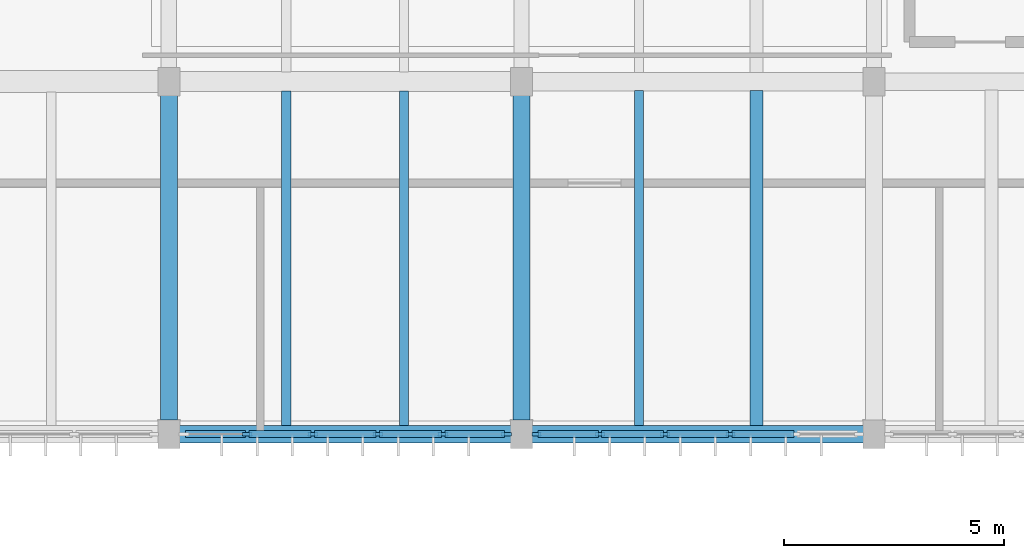
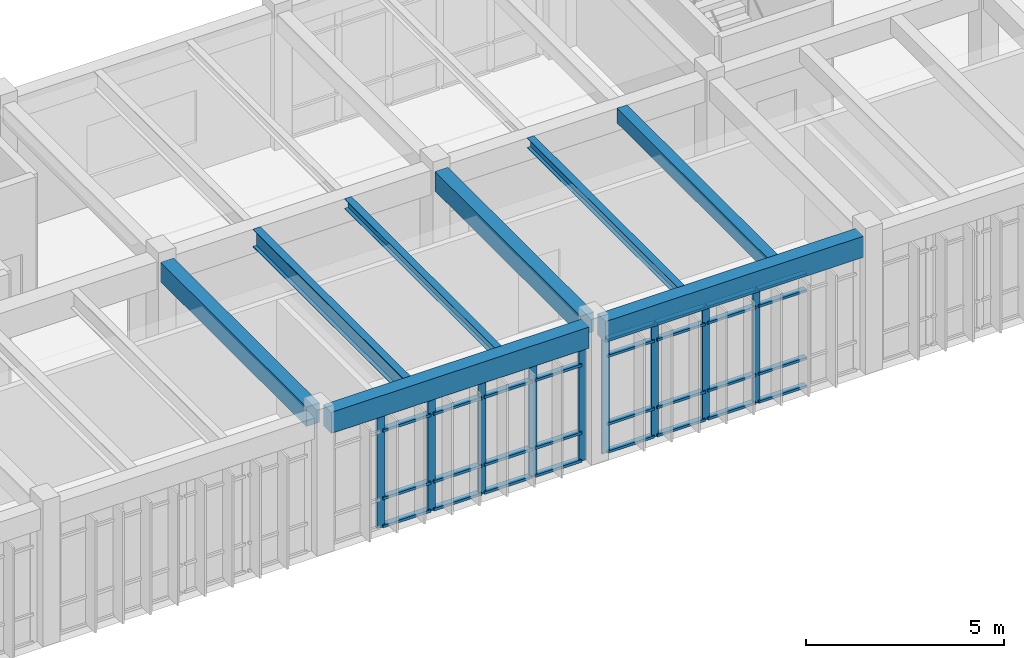
# One storey, part 22 of 72: 42 members, 8 beams, 2 elements without a shape of their own.
"""IFC4 building model written with IfcOpenShell, lengths in metres."""

import ifcopenshell
import ifcopenshell.guid

model = None  # the IFC model being written
_history = None  # IfcOwnerHistory: only IFC2X3 demands one
_inside = {}  # id of a spatial element -> (the spatial element, [elements in it])
_under = {}  # id of a project, library or spatial element -> (it, [spatial elements below it])
_declared = {}  # id of a project -> (the project, [libraries it declares])
_typed = {}  # id of a type object -> (the type object, [elements of that type])
_made_of = {}  # id of a material, layer set ... -> (it, [elements and type objects made of it])


def new_model(schema):
    """Start an empty IFC model of exactly this schema.

    Asked for "IFC4X3", IfcOpenShell would pick the latest addendum, in which some entities
    have other attributes; the version numbers below select the first issue.
    IFC2X3 requires an IfcOwnerHistory on every rooted entity: one is made here for all.
    """
    global model, _history
    if schema == "IFC4X3":
        model = ifcopenshell.file(schema_version=(4, 3, 0, 0))
    else:
        model = ifcopenshell.file(schema=schema)
    _inside.clear()
    _under.clear()
    _declared.clear()
    _typed.clear()
    _made_of.clear()
    _history = None
    if model.schema == "IFC2X3":
        org = make("IfcOrganization", Name="unknown")
        user = make(
            "IfcPersonAndOrganization",
            ThePerson=make("IfcPerson", FamilyName="unknown"),
            TheOrganization=org,
        )
        app = make(
            "IfcApplication",
            ApplicationDeveloper=org,
            Version="unknown",
            ApplicationFullName="unknown",
            ApplicationIdentifier="unknown",
        )
        _history = make(
            "IfcOwnerHistory",
            OwningUser=user,
            OwningApplication=app,
            ChangeAction="ADDED",
            CreationDate=0,
        )
    return model


def make(cls, **values):
    """One entity of the class cls with the attributes given. An attribute that is None is left unset."""
    return model.create_entity(
        cls, **{name: value for name, value in values.items() if value is not None}
    )


def rooted(cls, **values):
    """An entity with a GlobalId (a new one), such as an element, a storey or a relation."""
    return make(cls, GlobalId=ifcopenshell.guid.new(), OwnerHistory=_history, **values)


def si_unit(unit_type, name, prefix=None):
    """IfcSIUnit, for example si_unit("LENGTHUNIT", "METRE", prefix="MILLI")."""
    return make("IfcSIUnit", UnitType=unit_type, Prefix=prefix, Name=name)


def assignment(units):
    """IfcUnitAssignment: the units of a project."""
    return None if units is None else make("IfcUnitAssignment", Units=units)


def point(xyz):
    """IfcCartesianPoint."""
    return None if xyz is None else make("IfcCartesianPoint", Coordinates=xyz)


def direction(xyz):
    """IfcDirection."""
    return None if xyz is None else make("IfcDirection", DirectionRatios=xyz)


def frame(location, z_axis=None, x_axis=None):
    """IfcAxis2Placement3D, a coordinate frame: its origin and axes. An axis left out is left unset."""
    return make(
        "IfcAxis2Placement3D",
        Location=point(location),
        Axis=direction(z_axis),
        RefDirection=direction(x_axis),
    )


def frame_2d(location, x_axis=None):
    """IfcAxis2Placement2D, a coordinate frame in the plane: its origin and x axis."""
    return make(
        "IfcAxis2Placement2D", Location=point(location), RefDirection=direction(x_axis)
    )


def origin():
    """The frame at (0, 0, 0) with its axes left unset."""
    return frame((0.0, 0.0, 0.0))


def origin_2d():
    """The frame at (0, 0) in the plane with its x axis left unset."""
    return frame_2d((0.0, 0.0))


def place(relative_to, where):
    """IfcLocalPlacement: puts the frame where relative to a parent placement (None: the world)."""
    return make(
        "IfcLocalPlacement", PlacementRelTo=relative_to, RelativePlacement=where
    )


def context(
    kind, dimensions, precision=None, world=None, true_north=None, identifier=None
):
    """IfcGeometricRepresentationContext, for example the 3D "Model" context."""
    return make(
        "IfcGeometricRepresentationContext",
        ContextIdentifier=identifier,
        ContextType=kind,
        CoordinateSpaceDimension=dimensions,
        Precision=precision,
        WorldCoordinateSystem=world,
        TrueNorth=true_north,
    )


def subcontext(parent, identifier, kind, view, scale=None):
    """IfcGeometricRepresentationSubContext, for example "Body" below "Model"."""
    return make(
        "IfcGeometricRepresentationSubContext",
        ContextIdentifier=identifier,
        ContextType=kind,
        ParentContext=parent,
        TargetScale=scale,
        TargetView=view,
    )


def project(units=None, contexts=None):
    """IfcProject with its units and contexts."""
    return rooted(
        "IfcProject",
        Name="project",
        RepresentationContexts=contexts,
        UnitsInContext=assignment(units),
    )


def spatial(cls, under=None, at=None, **own):
    """A site, building, storey or space (cls), placed at a placement, below another one or the project."""
    s = rooted(cls, ObjectPlacement=at, **own)
    if under is not None:
        _under.setdefault(under.id(), (under, []))[1].append(s)
    return s


def profile(cls, at=None, kind="AREA", **sizes):
    """A parametric profile (cls). Its sizes go by their IFC names, for example OverallWidth=200.0."""
    return make(cls, ProfileType=kind, Position=at, **sizes)


def rectangle(**sizes):
    """IfcRectangleProfileDef."""
    return profile("IfcRectangleProfileDef", **sizes)


def i_section(**sizes):
    """IfcIShapeProfileDef."""
    return profile("IfcIShapeProfileDef", **sizes)


def extrude(swept, where, along, depth):
    """IfcExtrudedAreaSolid: the profile swept, set in the frame where, extruded along a direction by depth."""
    return make(
        "IfcExtrudedAreaSolid",
        SweptArea=swept,
        Position=where,
        ExtrudedDirection=direction(along),
        Depth=depth,
    )


def shape(context_of_items, identifier, shape_type, items):
    """IfcShapeRepresentation: the items that make up one representation, for example the "Body"."""
    return make(
        "IfcShapeRepresentation",
        ContextOfItems=context_of_items,
        RepresentationIdentifier=identifier,
        RepresentationType=shape_type,
        Items=items,
    )


def material(Name=None, Category=None):
    """IfcMaterial."""
    return make("IfcMaterial", Name=Name, Category=Category)


def material_profile(
    of_material, cross_section, Name=None, Category=None, Priority=None
):
    """IfcMaterialProfile: a cross section and its material."""
    return make(
        "IfcMaterialProfile",
        Name=Name,
        Material=of_material,
        Profile=cross_section,
        Priority=Priority,
        Category=Category,
    )


def profile_set(profiles, Name=None, composite=None):
    """IfcMaterialProfileSet."""
    return make(
        "IfcMaterialProfileSet",
        Name=Name,
        MaterialProfiles=profiles,
        CompositeProfile=composite,
    )


def made_of(thing, what):
    """Note that an element or type object is made of a material, layer set ...; save() writes the relation."""
    if what is not None:
        _made_of.setdefault(what.id(), (what, []))[1].append(thing)
    return thing


def type_object(cls, material=None, **own):
    """A type object (cls), such as IfcWallType, which elements share."""
    return made_of(rooted(cls, **own), material)


def element(
    cls,
    number,
    at=None,
    inside=None,
    cuts=None,
    type_object=None,
    material=None,
    context=None,
    identifier="Body",
    shape_type=None,
    held_by="IfcProductDefinitionShape",
    body=None,
    shapes=None,
    **own,
):
    """One element of the class cls, such as IfcWall. Its Tag is "e" and its number.

    at: its placement. inside: the storey or other place that contains it. cuts: it is an
    opening in that element (IfcRelVoidsElement). A single representation is given by context,
    identifier, shape_type and body (its items); several are given by shapes. held_by: the class
    of the entity that holds the representations. save() writes the other relations.
    """
    e = rooted(cls, Tag="e%d" % number, ObjectPlacement=at, **own)
    if body is not None:
        shapes = [shape(context, identifier, shape_type, body)]
    if shapes is not None:
        e.Representation = make(held_by, Representations=shapes)
    if inside is not None:
        _inside.setdefault(inside.id(), (inside, []))[1].append(e)
    if cuts is not None:
        rooted(
            "IfcRelVoidsElement", RelatingBuildingElement=cuts, RelatedOpeningElement=e
        )
    if type_object is not None:
        _typed.setdefault(type_object.id(), (type_object, []))[1].append(e)
    return made_of(e, material)


def aggregate(whole, parts):
    """IfcRelAggregates: a whole, such as a stair, and the parts it consists of."""
    return rooted("IfcRelAggregates", RelatingObject=whole, RelatedObjects=parts)


def save(model, path):
    """Write the relations noted so far, then the file.

    IfcRelAggregates (storeys below a building ...), IfcRelContainedInSpatialStructure (elements
    in a storey), IfcRelDefinesByType, IfcRelAssociatesMaterial and IfcRelDeclares: one each for
    every whole, place, type object, material and project.
    """
    for whole, parts in _under.values():
        aggregate(whole, parts)
    for where, things in _inside.values():
        rooted(
            "IfcRelContainedInSpatialStructure",
            RelatedElements=things,
            RelatingStructure=where,
        )
    for kind, things in _typed.values():
        rooted("IfcRelDefinesByType", RelatedObjects=things, RelatingType=kind)
    for what, things in _made_of.values():
        rooted("IfcRelAssociatesMaterial", RelatedObjects=things, RelatingMaterial=what)
    for by, libraries in _declared.values():
        rooted("IfcRelDeclares", RelatingContext=by, RelatedDefinitions=libraries)
    model.write(path)


model = new_model("IFC4")

# Units and contexts
model_context = context("Model", 3, precision=1e-05, world=origin(), true_north=direction((0.0, 1.0)))
body_context = subcontext(model_context, "Body", "Model", "MODEL_VIEW")
ifc_project = project(units=[si_unit("LENGTHUNIT", "METRE"), si_unit("AREAUNIT", "SQUARE_METRE"), si_unit("VOLUMEUNIT", "CUBIC_METRE"), si_unit("PLANEANGLEUNIT", "RADIAN"), si_unit("MASSUNIT", "GRAM", prefix="KILO")], contexts=[model_context])

# Site, building, storey
site_placement = place(None, origin())
site = spatial("IfcSite", under=ifc_project, at=site_placement, CompositionType="ELEMENT")
building_placement = place(site_placement, origin())
building = spatial("IfcBuilding", under=site, at=building_placement, Name="Tlaxcora Railside Police Headquarters", CompositionType="ELEMENT")
storey_placement = place(building_placement, frame((0.0, 0.0, 13.5)))
storey = spatial("IfcBuildingStorey", under=building, at=storey_placement, Name="L03", CompositionType="ELEMENT", Elevation=13.5)

# Curtain wall, members
ifc_material_1 = material(Name="Thermally broken low-E insulated glazing", Category="glass")
curtain_wall_type_1 = type_object("IfcCurtainWallType", Name="Unitised Curtain Wall Assembly CW-23", PredefinedType="NOTDEFINED", material=ifc_material_1)
curtain_wall_1_placement = place(storey_placement, origin())
curtain_wall_1 = element("IfcCurtainWall", 1, at=curtain_wall_1_placement, inside=storey, type_object=curtain_wall_type_1, Name="V6 L03 curtain wall 164", PredefinedType="NOTDEFINED")
ifc_material_2 = material(Name="Anodised aluminium framing", Category="aluminium")
ifc_material_profile_1 = material_profile(ifc_material_2, rectangle(XDim=0.080078125, YDim=0.219970703125, at=origin_2d()), Name="AL80X220")
ifc_profile_set_1 = profile_set([ifc_material_profile_1], Name="Anodised aluminium framing")
member_type_1 = type_object("IfcMemberType", Name="Curtain Wall Mullion CW-31", PredefinedType="MULLION", material=ifc_profile_set_1)
member_1_placement = place(storey_placement, frame((120.580078125, 76.800048828125, 0.0), z_axis=(0.0, 0.0, 1.0), x_axis=(0.0, 1.0, 0.0)))
member_1 = element("IfcMember", 2, at=member_1_placement, type_object=member_type_1, Name="CW mullion 2", PredefinedType="MULLION", context=body_context, shape_type="SweptSolid", body=[
    extrude(rectangle(XDim=0.080078125, YDim=0.219970703125, at=origin_2d()), origin(), (0.0, 0.0, 1.0), 3.52001953125),
])
member_2_placement = place(storey_placement, frame((122.06005859375, 76.800048828125, 0.0), z_axis=(0.0, 0.0, 1.0), x_axis=(0.0, 1.0, 0.0)))
member_2 = element("IfcMember", 3, at=member_2_placement, type_object=member_type_1, Name="CW mullion 3", PredefinedType="MULLION", context=body_context, shape_type="SweptSolid", body=[
    extrude(rectangle(XDim=0.080078125, YDim=0.219970703125, at=origin_2d()), origin(), (0.0, 0.0, 1.0), 3.52001953125),
])
member_3_placement = place(storey_placement, frame((123.5400390625, 76.800048828125, 0.0), z_axis=(0.0, 0.0, 1.0), x_axis=(0.0, 1.0, 0.0)))
member_3 = element("IfcMember", 4, at=member_3_placement, type_object=member_type_1, Name="CW mullion 4", PredefinedType="MULLION", context=body_context, shape_type="SweptSolid", body=[
    extrude(rectangle(XDim=0.080078125, YDim=0.219970703125, at=origin_2d()), origin(), (0.0, 0.0, 1.0), 3.52001953125),
])
member_4_placement = place(storey_placement, frame((125.02001953125, 76.800048828125, 0.0), z_axis=(0.0, 0.0, 1.0), x_axis=(0.0, 1.0, 0.0)))
member_4 = element("IfcMember", 5, at=member_4_placement, type_object=member_type_1, Name="CW mullion 5", PredefinedType="MULLION", context=body_context, shape_type="SweptSolid", body=[
    extrude(rectangle(XDim=0.080078125, YDim=0.219970703125, at=origin_2d()), origin(), (0.0, 0.0, 1.0), 3.52001953125),
])
member_5_placement = place(storey_placement, frame((126.4599609375, 76.800048828125, 0.0), z_axis=(0.0, 0.0, 1.0), x_axis=(0.0, 1.0, 0.0)))
member_5 = element("IfcMember", 6, at=member_5_placement, type_object=member_type_1, Name="CW mullion 6", PredefinedType="MULLION", context=body_context, shape_type="SweptSolid", body=[
    extrude(rectangle(XDim=0.080078125, YDim=0.219970703125, at=origin_2d()), origin(), (0.0, 0.0, 1.0), 3.52001953125),
])

curtain_wall_type_2 = type_object("IfcCurtainWallType", Name="Unitised Curtain Wall Assembly CW-38", PredefinedType="NOTDEFINED", material=ifc_material_1)
curtain_wall_2_placement = place(storey_placement, origin())
curtain_wall_2 = element("IfcCurtainWall", 7, at=curtain_wall_2_placement, inside=storey, type_object=curtain_wall_type_2, Name="V6 L03 curtain wall 165", PredefinedType="NOTDEFINED")
ifc_material_profile_2 = material_profile(ifc_material_2, rectangle(XDim=0.074951171875, YDim=0.205078125, at=origin_2d()), Name="AL75X205")
ifc_profile_set_2 = profile_set([ifc_material_profile_2], Name="Anodised aluminium framing")
member_type_2 = type_object("IfcMemberType", Name="Curtain Wall Mullion CW-32", PredefinedType="MULLION", material=ifc_profile_set_2)
member_6_placement = place(storey_placement, frame((127.137451171875, 76.800048828125, 0.0), z_axis=(0.0, 0.0, 1.0), x_axis=(0.0, 1.0, 0.0)))
member_6 = element("IfcMember", 8, at=member_6_placement, type_object=member_type_2, Name="CW mullion 1", PredefinedType="MULLION", context=body_context, shape_type="SweptSolid", body=[
    extrude(rectangle(XDim=0.074951171875, YDim=0.205078125, at=origin_2d()), origin(), (0.0, 0.0, 1.0), 3.52001953125),
])
member_7_placement = place(storey_placement, frame((128.580078125, 76.800048828125, 0.0), z_axis=(0.0, 0.0, 1.0), x_axis=(0.0, 1.0, 0.0)))
member_7 = element("IfcMember", 9, at=member_7_placement, type_object=member_type_2, Name="CW mullion 2", PredefinedType="MULLION", context=body_context, shape_type="SweptSolid", body=[
    extrude(rectangle(XDim=0.074951171875, YDim=0.205078125, at=origin_2d()), origin(), (0.0, 0.0, 1.0), 3.52001953125),
])
member_8_placement = place(storey_placement, frame((130.06005859375, 76.800048828125, 0.0), z_axis=(0.0, 0.0, 1.0), x_axis=(0.0, 1.0, 0.0)))
member_8 = element("IfcMember", 10, at=member_8_placement, type_object=member_type_2, Name="CW mullion 3", PredefinedType="MULLION", context=body_context, shape_type="SweptSolid", body=[
    extrude(rectangle(XDim=0.074951171875, YDim=0.205078125, at=origin_2d()), origin(), (0.0, 0.0, 1.0), 3.52001953125),
])
member_9_placement = place(storey_placement, frame((131.5400390625, 76.800048828125, 0.0), z_axis=(0.0, 0.0, 1.0), x_axis=(0.0, 1.0, 0.0)))
member_9 = element("IfcMember", 11, at=member_9_placement, type_object=member_type_2, Name="CW mullion 4", PredefinedType="MULLION", context=body_context, shape_type="SweptSolid", body=[
    extrude(rectangle(XDim=0.074951171875, YDim=0.205078125, at=origin_2d()), origin(), (0.0, 0.0, 1.0), 3.52001953125),
])
ifc_material_profile_3 = material_profile(ifc_material_2, rectangle(XDim=0.155029296875, YDim=0.074951171875, at=origin_2d()), Name="AL75X155")
ifc_profile_set_3 = profile_set([ifc_material_profile_3], Name="Anodised aluminium framing")
member_type_3 = type_object("IfcMemberType", Name="Curtain Wall Transom CW-30", PredefinedType="USERDEFINED", material=ifc_profile_set_3)
member_10_placement = place(storey_placement, frame((127.175048828125, 76.800048828125, 0.03759765625), z_axis=(1.0, 0.0, 0.0), x_axis=(0.0, 1.0, 0.0)))
member_10 = element("IfcMember", 12, at=member_10_placement, type_object=member_type_3, Name="CW transom 1.1", ObjectType="TRANSOM", PredefinedType="USERDEFINED", context=body_context, shape_type="SweptSolid", body=[
    extrude(rectangle(XDim=0.155029296875, YDim=0.074951171875, at=origin_2d()), origin(), (0.0, 0.0, 1.0), 1.367431640625),
])
member_11_placement = place(storey_placement, frame((127.175048828125, 76.800048828125, 0.89990234375), z_axis=(1.0, 0.0, 0.0), x_axis=(0.0, 1.0, 0.0)))
member_11 = element("IfcMember", 13, at=member_11_placement, type_object=member_type_3, Name="CW transom 1.2", ObjectType="TRANSOM", PredefinedType="USERDEFINED", context=body_context, shape_type="SweptSolid", body=[
    extrude(rectangle(XDim=0.155029296875, YDim=0.074951171875, at=origin_2d()), origin(), (0.0, 0.0, 1.0), 1.367431640625),
])
member_12_placement = place(storey_placement, frame((127.175048828125, 76.800048828125, 2.989990234375), z_axis=(1.0, 0.0, 0.0), x_axis=(0.0, 1.0, 0.0)))
member_12 = element("IfcMember", 14, at=member_12_placement, type_object=member_type_3, Name="CW transom 1.3", ObjectType="TRANSOM", PredefinedType="USERDEFINED", context=body_context, shape_type="SweptSolid", body=[
    extrude(rectangle(XDim=0.155029296875, YDim=0.074951171875, at=origin_2d()), origin(), (0.0, 0.0, 1.0), 1.367431640625),
])
member_13_placement = place(storey_placement, frame((127.175048828125, 76.800048828125, 3.482421875), z_axis=(1.0, 0.0, 0.0), x_axis=(0.0, 1.0, 0.0)))
member_13 = element("IfcMember", 15, at=member_13_placement, type_object=member_type_3, Name="CW transom 1.4", ObjectType="TRANSOM", PredefinedType="USERDEFINED", context=body_context, shape_type="SweptSolid", body=[
    extrude(rectangle(XDim=0.155029296875, YDim=0.074951171875, at=origin_2d()), origin(), (0.0, 0.0, 1.0), 1.367431640625),
])
member_14_placement = place(storey_placement, frame((128.617431640625, 76.800048828125, 0.03759765625), z_axis=(1.0, 0.0, 0.0), x_axis=(0.0, 1.0, 0.0)))
member_14 = element("IfcMember", 16, at=member_14_placement, type_object=member_type_3, Name="CW transom 2.1", ObjectType="TRANSOM", PredefinedType="USERDEFINED", context=body_context, shape_type="SweptSolid", body=[
    extrude(rectangle(XDim=0.155029296875, YDim=0.074951171875, at=origin_2d()), origin(), (0.0, 0.0, 1.0), 1.405029296875),
])
member_15_placement = place(storey_placement, frame((128.617431640625, 76.800048828125, 0.89990234375), z_axis=(1.0, 0.0, 0.0), x_axis=(0.0, 1.0, 0.0)))
member_15 = element("IfcMember", 17, at=member_15_placement, type_object=member_type_3, Name="CW transom 2.2", ObjectType="TRANSOM", PredefinedType="USERDEFINED", context=body_context, shape_type="SweptSolid", body=[
    extrude(rectangle(XDim=0.155029296875, YDim=0.074951171875, at=origin_2d()), origin(), (0.0, 0.0, 1.0), 1.405029296875),
])
member_16_placement = place(storey_placement, frame((128.617431640625, 76.800048828125, 2.989990234375), z_axis=(1.0, 0.0, 0.0), x_axis=(0.0, 1.0, 0.0)))
member_16 = element("IfcMember", 18, at=member_16_placement, type_object=member_type_3, Name="CW transom 2.3", ObjectType="TRANSOM", PredefinedType="USERDEFINED", context=body_context, shape_type="SweptSolid", body=[
    extrude(rectangle(XDim=0.155029296875, YDim=0.074951171875, at=origin_2d()), origin(), (0.0, 0.0, 1.0), 1.405029296875),
])
member_17_placement = place(storey_placement, frame((128.617431640625, 76.800048828125, 3.482421875), z_axis=(1.0, 0.0, 0.0), x_axis=(0.0, 1.0, 0.0)))
member_17 = element("IfcMember", 19, at=member_17_placement, type_object=member_type_3, Name="CW transom 2.4", ObjectType="TRANSOM", PredefinedType="USERDEFINED", context=body_context, shape_type="SweptSolid", body=[
    extrude(rectangle(XDim=0.155029296875, YDim=0.074951171875, at=origin_2d()), origin(), (0.0, 0.0, 1.0), 1.405029296875),
])
member_18_placement = place(storey_placement, frame((130.097412109375, 76.800048828125, 0.03759765625), z_axis=(1.0, 0.0, 0.0), x_axis=(0.0, 1.0, 0.0)))
member_18 = element("IfcMember", 20, at=member_18_placement, type_object=member_type_3, Name="CW transom 3.1", ObjectType="TRANSOM", PredefinedType="USERDEFINED", context=body_context, shape_type="SweptSolid", body=[
    extrude(rectangle(XDim=0.155029296875, YDim=0.074951171875, at=origin_2d()), origin(), (0.0, 0.0, 1.0), 1.405029296875),
])
member_19_placement = place(storey_placement, frame((130.097412109375, 76.800048828125, 0.89990234375), z_axis=(1.0, 0.0, 0.0), x_axis=(0.0, 1.0, 0.0)))
member_19 = element("IfcMember", 21, at=member_19_placement, type_object=member_type_3, Name="CW transom 3.2", ObjectType="TRANSOM", PredefinedType="USERDEFINED", context=body_context, shape_type="SweptSolid", body=[
    extrude(rectangle(XDim=0.155029296875, YDim=0.074951171875, at=origin_2d()), origin(), (0.0, 0.0, 1.0), 1.405029296875),
])
member_20_placement = place(storey_placement, frame((130.097412109375, 76.800048828125, 2.989990234375), z_axis=(1.0, 0.0, 0.0), x_axis=(0.0, 1.0, 0.0)))
member_20 = element("IfcMember", 22, at=member_20_placement, type_object=member_type_3, Name="CW transom 3.3", ObjectType="TRANSOM", PredefinedType="USERDEFINED", context=body_context, shape_type="SweptSolid", body=[
    extrude(rectangle(XDim=0.155029296875, YDim=0.074951171875, at=origin_2d()), origin(), (0.0, 0.0, 1.0), 1.405029296875),
])
member_21_placement = place(storey_placement, frame((130.097412109375, 76.800048828125, 3.482421875), z_axis=(1.0, 0.0, 0.0), x_axis=(0.0, 1.0, 0.0)))
member_21 = element("IfcMember", 23, at=member_21_placement, type_object=member_type_3, Name="CW transom 3.4", ObjectType="TRANSOM", PredefinedType="USERDEFINED", context=body_context, shape_type="SweptSolid", body=[
    extrude(rectangle(XDim=0.155029296875, YDim=0.074951171875, at=origin_2d()), origin(), (0.0, 0.0, 1.0), 1.405029296875),
])
member_22_placement = place(storey_placement, frame((131.577392578125, 76.800048828125, 0.03759765625), z_axis=(1.0, 0.0, 0.0), x_axis=(0.0, 1.0, 0.0)))
member_22 = element("IfcMember", 24, at=member_22_placement, type_object=member_type_3, Name="CW transom 4.1", ObjectType="TRANSOM", PredefinedType="USERDEFINED", context=body_context, shape_type="SweptSolid", body=[
    extrude(rectangle(XDim=0.155029296875, YDim=0.074951171875, at=origin_2d()), origin(), (0.0, 0.0, 1.0), 1.405029296875),
])
member_23_placement = place(storey_placement, frame((131.577392578125, 76.800048828125, 0.89990234375), z_axis=(1.0, 0.0, 0.0), x_axis=(0.0, 1.0, 0.0)))
member_23 = element("IfcMember", 25, at=member_23_placement, type_object=member_type_3, Name="CW transom 4.2", ObjectType="TRANSOM", PredefinedType="USERDEFINED", context=body_context, shape_type="SweptSolid", body=[
    extrude(rectangle(XDim=0.155029296875, YDim=0.074951171875, at=origin_2d()), origin(), (0.0, 0.0, 1.0), 1.405029296875),
])
member_24_placement = place(storey_placement, frame((131.577392578125, 76.800048828125, 2.989990234375), z_axis=(1.0, 0.0, 0.0), x_axis=(0.0, 1.0, 0.0)))
member_24 = element("IfcMember", 26, at=member_24_placement, type_object=member_type_3, Name="CW transom 4.3", ObjectType="TRANSOM", PredefinedType="USERDEFINED", context=body_context, shape_type="SweptSolid", body=[
    extrude(rectangle(XDim=0.155029296875, YDim=0.074951171875, at=origin_2d()), origin(), (0.0, 0.0, 1.0), 1.405029296875),
])
member_25_placement = place(storey_placement, frame((131.577392578125, 76.800048828125, 3.482421875), z_axis=(1.0, 0.0, 0.0), x_axis=(0.0, 1.0, 0.0)))
member_25 = element("IfcMember", 27, at=member_25_placement, type_object=member_type_3, Name="CW transom 4.4", ObjectType="TRANSOM", PredefinedType="USERDEFINED", context=body_context, shape_type="SweptSolid", body=[
    extrude(rectangle(XDim=0.155029296875, YDim=0.074951171875, at=origin_2d()), origin(), (0.0, 0.0, 1.0), 1.405029296875),
])
aggregate(curtain_wall_2, [member_6, member_7, member_8, member_9, member_10, member_11, member_12, member_13, member_14, member_15, member_16, member_17, member_18, member_19, member_20, member_21, member_22, member_23, member_24, member_25])

# Member
ifc_material_profile_4 = material_profile(ifc_material_2, rectangle(XDim=0.1650390625, YDim=0.080078125, at=origin_2d()), Name="AL80X165")
ifc_profile_set_4 = profile_set([ifc_material_profile_4], Name="Anodised aluminium framing")
member_type_4 = type_object("IfcMemberType", Name="Curtain Wall Transom CW-62", PredefinedType="USERDEFINED", material=ifc_profile_set_4)
member_26_placement = place(storey_placement, frame((119.179931640625, 76.800048828125, 3.47998046875), z_axis=(1.0, 0.0, 0.0), x_axis=(0.0, 1.0, 0.0)))
member_26 = element("IfcMember", 28, at=member_26_placement, type_object=member_type_4, Name="CW transom 1.4", ObjectType="TRANSOM", PredefinedType="USERDEFINED", context=body_context, shape_type="SweptSolid", body=[
    extrude(rectangle(XDim=0.1650390625, YDim=0.080078125, at=origin_2d()), origin(), (0.0, 0.0, 1.0), 1.360107421875),
])

member_27_placement = place(storey_placement, frame((120.6201171875, 76.800048828125, 0.0400390625), z_axis=(1.0, 0.0, 0.0), x_axis=(0.0, 1.0, 0.0)))
member_27 = element("IfcMember", 29, at=member_27_placement, type_object=member_type_4, Name="CW transom 2.1", ObjectType="TRANSOM", PredefinedType="USERDEFINED", context=body_context, shape_type="SweptSolid", body=[
    extrude(rectangle(XDim=0.1650390625, YDim=0.080078125, at=origin_2d()), origin(), (0.0, 0.0, 1.0), 1.39990234375),
])

member_28_placement = place(storey_placement, frame((120.6201171875, 76.800048828125, 0.89990234375), z_axis=(1.0, 0.0, 0.0), x_axis=(0.0, 1.0, 0.0)))
member_28 = element("IfcMember", 30, at=member_28_placement, type_object=member_type_4, Name="CW transom 2.2", ObjectType="TRANSOM", PredefinedType="USERDEFINED", context=body_context, shape_type="SweptSolid", body=[
    extrude(rectangle(XDim=0.1650390625, YDim=0.080078125, at=origin_2d()), origin(), (0.0, 0.0, 1.0), 1.39990234375),
])

member_29_placement = place(storey_placement, frame((120.6201171875, 76.800048828125, 2.989990234375), z_axis=(1.0, 0.0, 0.0), x_axis=(0.0, 1.0, 0.0)))
member_29 = element("IfcMember", 31, at=member_29_placement, type_object=member_type_4, Name="CW transom 2.3", ObjectType="TRANSOM", PredefinedType="USERDEFINED", context=body_context, shape_type="SweptSolid", body=[
    extrude(rectangle(XDim=0.1650390625, YDim=0.080078125, at=origin_2d()), origin(), (0.0, 0.0, 1.0), 1.39990234375),
])

member_30_placement = place(storey_placement, frame((120.6201171875, 76.800048828125, 3.47998046875), z_axis=(1.0, 0.0, 0.0), x_axis=(0.0, 1.0, 0.0)))
member_30 = element("IfcMember", 32, at=member_30_placement, type_object=member_type_4, Name="CW transom 2.4", ObjectType="TRANSOM", PredefinedType="USERDEFINED", context=body_context, shape_type="SweptSolid", body=[
    extrude(rectangle(XDim=0.1650390625, YDim=0.080078125, at=origin_2d()), origin(), (0.0, 0.0, 1.0), 1.39990234375),
])

member_31_placement = place(storey_placement, frame((122.10009765625, 76.800048828125, 0.0400390625), z_axis=(1.0, 0.0, 0.0), x_axis=(0.0, 1.0, 0.0)))
member_31 = element("IfcMember", 33, at=member_31_placement, type_object=member_type_4, Name="CW transom 3.1", ObjectType="TRANSOM", PredefinedType="USERDEFINED", context=body_context, shape_type="SweptSolid", body=[
    extrude(rectangle(XDim=0.1650390625, YDim=0.080078125, at=origin_2d()), origin(), (0.0, 0.0, 1.0), 1.39990234375),
])

member_32_placement = place(storey_placement, frame((122.10009765625, 76.800048828125, 0.89990234375), z_axis=(1.0, 0.0, 0.0), x_axis=(0.0, 1.0, 0.0)))
member_32 = element("IfcMember", 34, at=member_32_placement, type_object=member_type_4, Name="CW transom 3.2", ObjectType="TRANSOM", PredefinedType="USERDEFINED", context=body_context, shape_type="SweptSolid", body=[
    extrude(rectangle(XDim=0.1650390625, YDim=0.080078125, at=origin_2d()), origin(), (0.0, 0.0, 1.0), 1.39990234375),
])

member_33_placement = place(storey_placement, frame((122.10009765625, 76.800048828125, 2.989990234375), z_axis=(1.0, 0.0, 0.0), x_axis=(0.0, 1.0, 0.0)))
member_33 = element("IfcMember", 35, at=member_33_placement, type_object=member_type_4, Name="CW transom 3.3", ObjectType="TRANSOM", PredefinedType="USERDEFINED", context=body_context, shape_type="SweptSolid", body=[
    extrude(rectangle(XDim=0.1650390625, YDim=0.080078125, at=origin_2d()), origin(), (0.0, 0.0, 1.0), 1.39990234375),
])

member_34_placement = place(storey_placement, frame((122.10009765625, 76.800048828125, 3.47998046875), z_axis=(1.0, 0.0, 0.0), x_axis=(0.0, 1.0, 0.0)))
member_34 = element("IfcMember", 36, at=member_34_placement, type_object=member_type_4, Name="CW transom 3.4", ObjectType="TRANSOM", PredefinedType="USERDEFINED", context=body_context, shape_type="SweptSolid", body=[
    extrude(rectangle(XDim=0.1650390625, YDim=0.080078125, at=origin_2d()), origin(), (0.0, 0.0, 1.0), 1.39990234375),
])

member_35_placement = place(storey_placement, frame((123.580078125, 76.800048828125, 0.0400390625), z_axis=(1.0, 0.0, 0.0), x_axis=(0.0, 1.0, 0.0)))
member_35 = element("IfcMember", 37, at=member_35_placement, type_object=member_type_4, Name="CW transom 4.1", ObjectType="TRANSOM", PredefinedType="USERDEFINED", context=body_context, shape_type="SweptSolid", body=[
    extrude(rectangle(XDim=0.1650390625, YDim=0.080078125, at=origin_2d()), origin(), (0.0, 0.0, 1.0), 1.39990234375),
])

member_36_placement = place(storey_placement, frame((123.580078125, 76.800048828125, 0.89990234375), z_axis=(1.0, 0.0, 0.0), x_axis=(0.0, 1.0, 0.0)))
member_36 = element("IfcMember", 38, at=member_36_placement, type_object=member_type_4, Name="CW transom 4.2", ObjectType="TRANSOM", PredefinedType="USERDEFINED", context=body_context, shape_type="SweptSolid", body=[
    extrude(rectangle(XDim=0.1650390625, YDim=0.080078125, at=origin_2d()), origin(), (0.0, 0.0, 1.0), 1.39990234375),
])

member_37_placement = place(storey_placement, frame((123.580078125, 76.800048828125, 2.989990234375), z_axis=(1.0, 0.0, 0.0), x_axis=(0.0, 1.0, 0.0)))
member_37 = element("IfcMember", 39, at=member_37_placement, type_object=member_type_4, Name="CW transom 4.3", ObjectType="TRANSOM", PredefinedType="USERDEFINED", context=body_context, shape_type="SweptSolid", body=[
    extrude(rectangle(XDim=0.1650390625, YDim=0.080078125, at=origin_2d()), origin(), (0.0, 0.0, 1.0), 1.39990234375),
])

member_38_placement = place(storey_placement, frame((123.580078125, 76.800048828125, 3.47998046875), z_axis=(1.0, 0.0, 0.0), x_axis=(0.0, 1.0, 0.0)))
member_38 = element("IfcMember", 40, at=member_38_placement, type_object=member_type_4, Name="CW transom 4.4", ObjectType="TRANSOM", PredefinedType="USERDEFINED", context=body_context, shape_type="SweptSolid", body=[
    extrude(rectangle(XDim=0.1650390625, YDim=0.080078125, at=origin_2d()), origin(), (0.0, 0.0, 1.0), 1.39990234375),
])

member_39_placement = place(storey_placement, frame((125.06005859375, 76.800048828125, 0.0400390625), z_axis=(1.0, 0.0, 0.0), x_axis=(0.0, 1.0, 0.0)))
member_39 = element("IfcMember", 41, at=member_39_placement, type_object=member_type_4, Name="CW transom 5.1", ObjectType="TRANSOM", PredefinedType="USERDEFINED", context=body_context, shape_type="SweptSolid", body=[
    extrude(rectangle(XDim=0.1650390625, YDim=0.080078125, at=origin_2d()), origin(), (0.0, 0.0, 1.0), 1.35986328125),
])

member_40_placement = place(storey_placement, frame((125.06005859375, 76.800048828125, 0.89990234375), z_axis=(1.0, 0.0, 0.0), x_axis=(0.0, 1.0, 0.0)))
member_40 = element("IfcMember", 42, at=member_40_placement, type_object=member_type_4, Name="CW transom 5.2", ObjectType="TRANSOM", PredefinedType="USERDEFINED", context=body_context, shape_type="SweptSolid", body=[
    extrude(rectangle(XDim=0.1650390625, YDim=0.080078125, at=origin_2d()), origin(), (0.0, 0.0, 1.0), 1.35986328125),
])

member_41_placement = place(storey_placement, frame((125.06005859375, 76.800048828125, 2.989990234375), z_axis=(1.0, 0.0, 0.0), x_axis=(0.0, 1.0, 0.0)))
member_41 = element("IfcMember", 43, at=member_41_placement, type_object=member_type_4, Name="CW transom 5.3", ObjectType="TRANSOM", PredefinedType="USERDEFINED", context=body_context, shape_type="SweptSolid", body=[
    extrude(rectangle(XDim=0.1650390625, YDim=0.080078125, at=origin_2d()), origin(), (0.0, 0.0, 1.0), 1.35986328125),
])

member_42_placement = place(storey_placement, frame((125.06005859375, 76.800048828125, 3.47998046875), z_axis=(1.0, 0.0, 0.0), x_axis=(0.0, 1.0, 0.0)))
member_42 = element("IfcMember", 44, at=member_42_placement, type_object=member_type_4, Name="CW transom 5.4", ObjectType="TRANSOM", PredefinedType="USERDEFINED", context=body_context, shape_type="SweptSolid", body=[
    extrude(rectangle(XDim=0.1650390625, YDim=0.080078125, at=origin_2d()), origin(), (0.0, 0.0, 1.0), 1.35986328125),
])

aggregate(curtain_wall_1, [member_1, member_2, member_3, member_4, member_5, member_26, member_27, member_28, member_29, member_30, member_31, member_32, member_33, member_34, member_35, member_36, member_37, member_38, member_39, member_40, member_41, member_42])

# Beams
ifc_material_3 = material(Name="Concrete C40/50", Category="concrete")
ifc_material_profile_5 = material_profile(ifc_material_3, rectangle(XDim=0.39990234375, YDim=0.64990234375, at=origin_2d()), Name="RC400X650")
ifc_profile_set_5 = profile_set([ifc_material_profile_5], Name="Concrete C40/50")
beam_type_1 = type_object("IfcBeamType", Name="Perimeter Spandrel Beam BM-46", PredefinedType="SPANDREL", material=ifc_profile_set_5)
for number, where, z_axis, x_axis, name in (
    (45, (119.0400390625, 76.800048828125, 3.864990234375), (1.0, 0.0, 0.0), (0.0, 1.0, 0.0), "V6 L03 X-girder Y=76.8"),
    (46, (127.0400390625, 76.800048828125, 3.864990234375), (1.0, 0.0, 0.0), (0.0, 1.0, 0.0), "V6 L03 X-girder Y=76.8"),
):
    element("IfcBeam", number, at=place(storey_placement, frame(where, z_axis=z_axis, x_axis=x_axis)), inside=storey, type_object=beam_type_1, Name=name, PredefinedType="SPANDREL", context=body_context, shape_type="SweptSolid", body=[
        extrude(rectangle(XDim=0.39990234375, YDim=0.64990234375, at=origin_2d()), origin(), (0.0, 0.0, 1.0), 7.52001953125),
    ])
ifc_material_profile_6 = material_profile(ifc_material_3, rectangle(XDim=0.3798828125, YDim=0.60009765625, at=origin_2d()), Name="RC380X600")
ifc_profile_set_6 = profile_set([ifc_material_profile_6], Name="Concrete C40/50")
beam_type_2 = type_object("IfcBeamType", Name="Primary Frame Girder BM-22", PredefinedType="BEAM", material=ifc_profile_set_6)
for number, where, z_axis, x_axis, name in (
    (47, (118.800048828125, 77.114990234375, 3.889892578125), (0.0, 1.0, 0.0), (-1.0, 0.0, 0.0), "V6 L03 Y-girder X=118.8"),
    (48, (126.800048828125, 77.114990234375, 3.889892578125), (0.0, 1.0, 0.0), (-1.0, 0.0, 0.0), "V6 L03 Y-girder X=126.8"),
):
    element("IfcBeam", number, at=place(storey_placement, frame(where, z_axis=z_axis, x_axis=x_axis)), inside=storey, type_object=beam_type_2, Name=name, PredefinedType="BEAM", context=body_context, shape_type="SweptSolid", body=[
        extrude(rectangle(XDim=0.3798828125, YDim=0.60009765625, at=origin_2d()), origin(), (0.0, 0.0, 1.0), 7.3701171875),
    ])
ifc_material_4 = material(Name="Concrete C35/45", Category="concrete")
ifc_material_profile_7 = material_profile(ifc_material_4, rectangle(XDim=0.300048828125, YDim=0.449951171875, at=origin_2d()), Name="RC300X450")
ifc_profile_set_7 = profile_set([ifc_material_profile_7], Name="Concrete C35/45")
beam_type_3 = type_object("IfcBeamType", Name="Secondary Floor Joist BM-27", PredefinedType="JOIST", material=ifc_profile_set_7)
beam_1_placement = place(storey_placement, frame((132.13330078125, 76.991943359375, 3.965087890625), z_axis=(0.0, 1.0, 0.0), x_axis=(-1.0, 0.0, 0.0)))
element("IfcBeam", 49, at=beam_1_placement, inside=storey, type_object=beam_type_3, Name="V6 L03 floor joist X=132.13", PredefinedType="JOIST", context=body_context, shape_type="SweptSolid", body=[
    extrude(rectangle(XDim=0.300048828125, YDim=0.449951171875, at=origin_2d()), origin(), (0.0, 0.0, 1.0), 7.60595703125),
])
ifc_material_5 = material(Name="Steel ASTM A992 Grade 50", Category="steel")
ifc_material_profile_8 = material_profile(ifc_material_5, i_section(OverallWidth=0.202880859375, OverallDepth=0.302978515625, WebThickness=0.007568359375, FlangeThickness=0.01318359375, at=origin_2d()), Name="W12X40")
ifc_profile_set_8 = profile_set([ifc_material_profile_8], Name="Steel ASTM A992 Grade 50")
beam_type_4 = type_object("IfcBeamType", Name="Secondary Floor Joist BM-96", PredefinedType="JOIST", material=ifc_profile_set_8)
beam_2_placement = place(storey_placement, frame((124.13330078125, 76.991943359375, 4.03857421875), z_axis=(0.0, 1.0, 0.0), x_axis=(-1.0, 0.0, 0.0)))
element("IfcBeam", 50, at=beam_2_placement, inside=storey, type_object=beam_type_4, Name="V6 L03 floor joist X=124.13", PredefinedType="JOIST", context=body_context, shape_type="SweptSolid", body=[
    extrude(i_section(OverallWidth=0.202880859375, OverallDepth=0.302978515625, WebThickness=0.007568359375, FlangeThickness=0.01318359375, at=origin_2d()), origin(), (0.0, 0.0, 1.0), 7.591064453125),
])
beam_3_placement = place(storey_placement, frame((129.466796875, 76.991943359375, 4.03857421875), z_axis=(0.0, 1.0, 0.0), x_axis=(-1.0, 0.0, 0.0)))
element("IfcBeam", 51, at=beam_3_placement, inside=storey, type_object=beam_type_4, Name="V6 L03 floor joist X=129.47", PredefinedType="JOIST", context=body_context, shape_type="SweptSolid", body=[
    extrude(i_section(OverallWidth=0.202880859375, OverallDepth=0.302978515625, WebThickness=0.007568359375, FlangeThickness=0.01318359375, at=origin_2d()), origin(), (0.0, 0.0, 1.0), 7.60595703125),
])
ifc_material_profile_9 = material_profile(ifc_material_5, i_section(OverallWidth=0.214111328125, OverallDepth=0.549072265625, WebThickness=0.0146484375, FlangeThickness=0.023681640625, at=origin_2d()), Name="W21X93")
ifc_profile_set_9 = profile_set([ifc_material_profile_9], Name="Steel ASTM A992 Grade 50")
beam_type_5 = type_object("IfcBeamType", Name="Secondary Floor Joist BM-97", PredefinedType="JOIST", material=ifc_profile_set_9)
beam_4_placement = place(storey_placement, frame((121.466796875, 76.991943359375, 3.91552734375), z_axis=(0.0, 1.0, 0.0), x_axis=(-1.0, 0.0, 0.0)))
element("IfcBeam", 52, at=beam_4_placement, inside=storey, type_object=beam_type_5, Name="V6 L03 floor joist X=121.47", PredefinedType="JOIST", context=body_context, shape_type="SweptSolid", body=[
    extrude(i_section(OverallWidth=0.214111328125, OverallDepth=0.549072265625, WebThickness=0.0146484375, FlangeThickness=0.023681640625, at=origin_2d()), origin(), (0.0, 0.0, 1.0), 7.591064453125),
])

save(model, "model.ifc")
